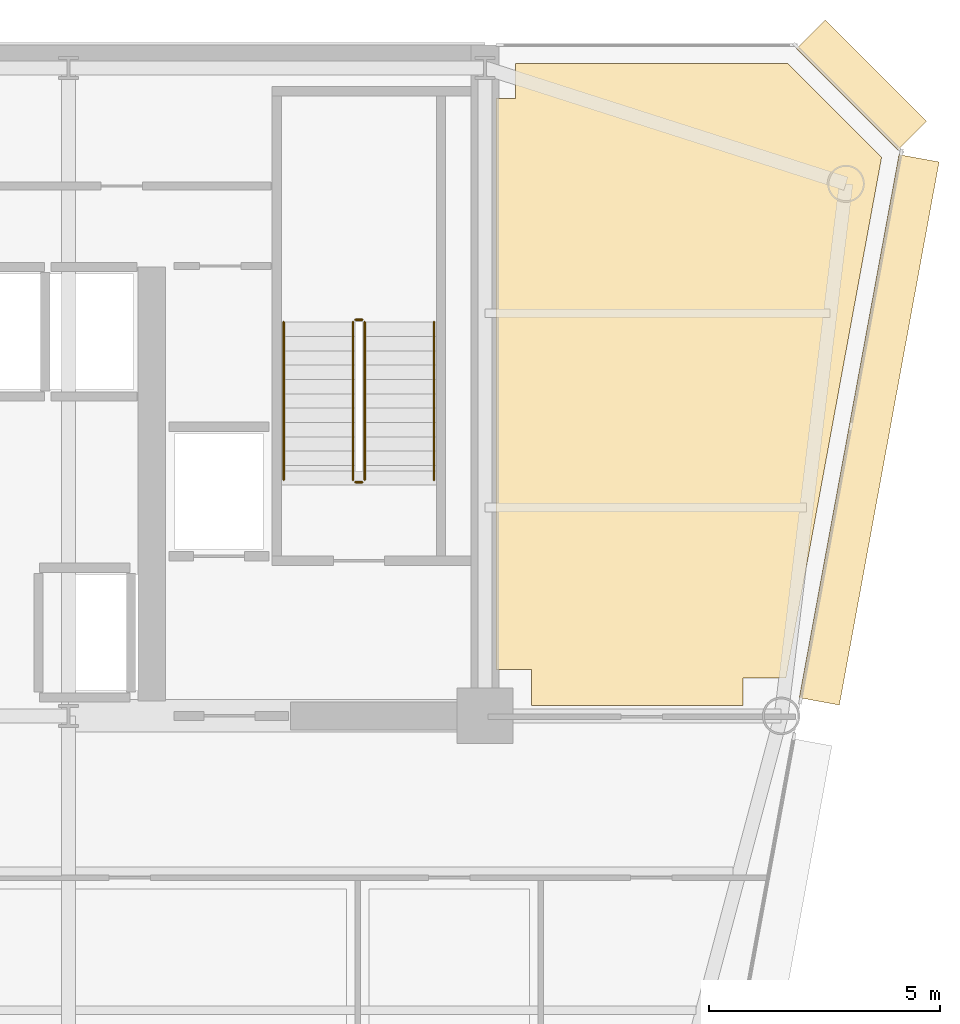
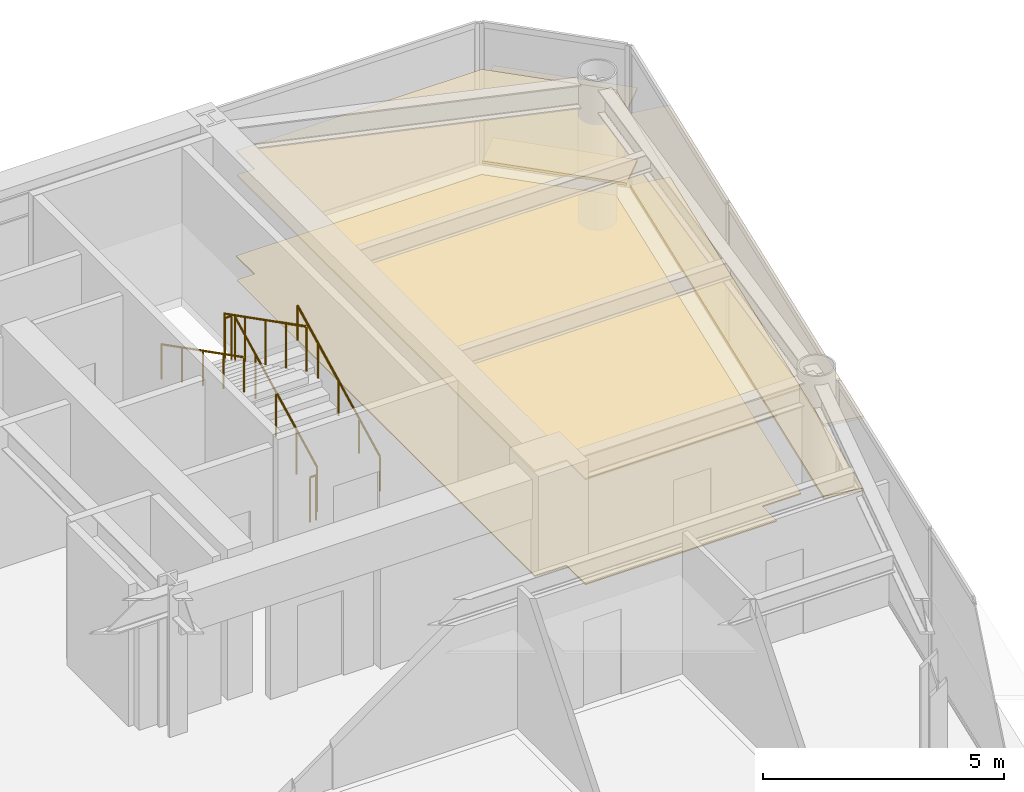
# One storey, part 16 of 16: 6 coverings, 6 railings.
"""IFC4 building model written with IfcOpenShell, lengths in metres."""

import ifcopenshell
import ifcopenshell.guid

model = None  # the IFC model being written
_history = None  # IfcOwnerHistory: only IFC2X3 demands one
_inside = {}  # id of a spatial element -> (the spatial element, [elements in it])
_under = {}  # id of a project, library or spatial element -> (it, [spatial elements below it])
_declared = {}  # id of a project -> (the project, [libraries it declares])
_typed = {}  # id of a type object -> (the type object, [elements of that type])
_made_of = {}  # id of a material, layer set ... -> (it, [elements and type objects made of it])


def new_model(schema):
    """Start an empty IFC model of exactly this schema.

    Asked for "IFC4X3", IfcOpenShell would pick the latest addendum, in which some entities
    have other attributes; the version numbers below select the first issue.
    IFC2X3 requires an IfcOwnerHistory on every rooted entity: one is made here for all.
    """
    global model, _history
    if schema == "IFC4X3":
        model = ifcopenshell.file(schema_version=(4, 3, 0, 0))
    else:
        model = ifcopenshell.file(schema=schema)
    _inside.clear()
    _under.clear()
    _declared.clear()
    _typed.clear()
    _made_of.clear()
    _history = None
    if model.schema == "IFC2X3":
        org = make("IfcOrganization", Name="unknown")
        user = make(
            "IfcPersonAndOrganization",
            ThePerson=make("IfcPerson", FamilyName="unknown"),
            TheOrganization=org,
        )
        app = make(
            "IfcApplication",
            ApplicationDeveloper=org,
            Version="unknown",
            ApplicationFullName="unknown",
            ApplicationIdentifier="unknown",
        )
        _history = make(
            "IfcOwnerHistory",
            OwningUser=user,
            OwningApplication=app,
            ChangeAction="ADDED",
            CreationDate=0,
        )
    return model


def make(cls, **values):
    """One entity of the class cls with the attributes given. An attribute that is None is left unset."""
    return model.create_entity(
        cls, **{name: value for name, value in values.items() if value is not None}
    )


def rooted(cls, **values):
    """An entity with a GlobalId (a new one), such as an element, a storey or a relation."""
    return make(cls, GlobalId=ifcopenshell.guid.new(), OwnerHistory=_history, **values)


def si_unit(unit_type, name, prefix=None):
    """IfcSIUnit, for example si_unit("LENGTHUNIT", "METRE", prefix="MILLI")."""
    return make("IfcSIUnit", UnitType=unit_type, Prefix=prefix, Name=name)


def assignment(units):
    """IfcUnitAssignment: the units of a project."""
    return None if units is None else make("IfcUnitAssignment", Units=units)


def point(xyz):
    """IfcCartesianPoint."""
    return None if xyz is None else make("IfcCartesianPoint", Coordinates=xyz)


def direction(xyz):
    """IfcDirection."""
    return None if xyz is None else make("IfcDirection", DirectionRatios=xyz)


def frame(location, z_axis=None, x_axis=None):
    """IfcAxis2Placement3D, a coordinate frame: its origin and axes. An axis left out is left unset."""
    return make(
        "IfcAxis2Placement3D",
        Location=point(location),
        Axis=direction(z_axis),
        RefDirection=direction(x_axis),
    )


def frame_2d(location, x_axis=None):
    """IfcAxis2Placement2D, a coordinate frame in the plane: its origin and x axis."""
    return make(
        "IfcAxis2Placement2D", Location=point(location), RefDirection=direction(x_axis)
    )


def origin():
    """The frame at (0, 0, 0) with its axes left unset."""
    return frame((0.0, 0.0, 0.0))


def origin_2d():
    """The frame at (0, 0) in the plane with its x axis left unset."""
    return frame_2d((0.0, 0.0))


def place(relative_to, where):
    """IfcLocalPlacement: puts the frame where relative to a parent placement (None: the world)."""
    return make(
        "IfcLocalPlacement", PlacementRelTo=relative_to, RelativePlacement=where
    )


def context(
    kind, dimensions, precision=None, world=None, true_north=None, identifier=None
):
    """IfcGeometricRepresentationContext, for example the 3D "Model" context."""
    return make(
        "IfcGeometricRepresentationContext",
        ContextIdentifier=identifier,
        ContextType=kind,
        CoordinateSpaceDimension=dimensions,
        Precision=precision,
        WorldCoordinateSystem=world,
        TrueNorth=true_north,
    )


def subcontext(parent, identifier, kind, view, scale=None):
    """IfcGeometricRepresentationSubContext, for example "Body" below "Model"."""
    return make(
        "IfcGeometricRepresentationSubContext",
        ContextIdentifier=identifier,
        ContextType=kind,
        ParentContext=parent,
        TargetScale=scale,
        TargetView=view,
    )


def project(units=None, contexts=None):
    """IfcProject with its units and contexts."""
    return rooted(
        "IfcProject",
        Name="project",
        RepresentationContexts=contexts,
        UnitsInContext=assignment(units),
    )


def spatial(cls, under=None, at=None, **own):
    """A site, building, storey or space (cls), placed at a placement, below another one or the project."""
    s = rooted(cls, ObjectPlacement=at, **own)
    if under is not None:
        _under.setdefault(under.id(), (under, []))[1].append(s)
    return s


def polyline(points):
    """IfcPolyline through the points."""
    return make("IfcPolyline", Points=[point(p) for p in points])


def profile(cls, at=None, kind="AREA", **sizes):
    """A parametric profile (cls). Its sizes go by their IFC names, for example OverallWidth=200.0."""
    return make(cls, ProfileType=kind, Position=at, **sizes)


def rectangle(**sizes):
    """IfcRectangleProfileDef."""
    return profile("IfcRectangleProfileDef", **sizes)


def circle(**sizes):
    """IfcCircleProfileDef."""
    return profile("IfcCircleProfileDef", **sizes)


def outline(outer, holes=None, kind="AREA"):
    """IfcArbitraryClosedProfileDef: a profile drawn as a closed curve; with holes, ...WithVoids."""
    if holes is None:
        return make("IfcArbitraryClosedProfileDef", ProfileType=kind, OuterCurve=outer)
    return make(
        "IfcArbitraryProfileDefWithVoids",
        ProfileType=kind,
        OuterCurve=outer,
        InnerCurves=holes,
    )


def extrude(swept, where, along, depth):
    """IfcExtrudedAreaSolid: the profile swept, set in the frame where, extruded along a direction by depth."""
    return make(
        "IfcExtrudedAreaSolid",
        SweptArea=swept,
        Position=where,
        ExtrudedDirection=direction(along),
        Depth=depth,
    )


def shape(context_of_items, identifier, shape_type, items):
    """IfcShapeRepresentation: the items that make up one representation, for example the "Body"."""
    return make(
        "IfcShapeRepresentation",
        ContextOfItems=context_of_items,
        RepresentationIdentifier=identifier,
        RepresentationType=shape_type,
        Items=items,
    )


def source(mapping_origin, context_of_items, identifier, shape_type, items):
    """IfcRepresentationMap: a shape defined once, which mapped items show again and again."""
    return make(
        "IfcRepresentationMap",
        MappingOrigin=mapping_origin,
        MappedRepresentation=shape(context_of_items, identifier, shape_type, items),
    )


def transform(
    local_origin,
    x_axis=None,
    y_axis=None,
    z_axis=None,
    scale=None,
    scale2=None,
    scale3=None,
    uniform=True,
):
    """IfcCartesianTransformationOperator3D, or its non-uniform kind. x_axis, y_axis, z_axis: its Axis1, 2, 3."""
    if uniform:
        return make(
            "IfcCartesianTransformationOperator3D",
            Axis1=direction(x_axis),
            Axis2=direction(y_axis),
            LocalOrigin=point(local_origin),
            Scale=scale,
            Axis3=direction(z_axis),
        )
    return make(
        "IfcCartesianTransformationOperator3DnonUniform",
        Axis1=direction(x_axis),
        Axis2=direction(y_axis),
        LocalOrigin=point(local_origin),
        Scale=scale,
        Axis3=direction(z_axis),
        Scale2=scale2,
        Scale3=scale3,
    )


def mapped(mapping_source, mapping_target):
    """IfcMappedItem: shows the shape of a source again, moved by a transform."""
    return make(
        "IfcMappedItem", MappingSource=mapping_source, MappingTarget=mapping_target
    )


def material(Name=None, Category=None):
    """IfcMaterial."""
    return make("IfcMaterial", Name=Name, Category=Category)


def layer(
    of_material, thickness, ventilated=None, Name=None, Category=None, Priority=None
):
    """IfcMaterialLayer: one layer of a wall or slab, of a material (None: an air gap)."""
    return make(
        "IfcMaterialLayer",
        Material=of_material,
        LayerThickness=thickness,
        IsVentilated=ventilated,
        Name=Name,
        Category=Category,
        Priority=Priority,
    )


def layer_set(layers, Name=None):
    """IfcMaterialLayerSet."""
    return make("IfcMaterialLayerSet", MaterialLayers=layers, LayerSetName=Name)


def made_of(thing, what):
    """Note that an element or type object is made of a material, layer set ...; save() writes the relation."""
    if what is not None:
        _made_of.setdefault(what.id(), (what, []))[1].append(thing)
    return thing


def type_object(cls, material=None, **own):
    """A type object (cls), such as IfcWallType, which elements share."""
    return made_of(rooted(cls, **own), material)


def element(
    cls,
    number,
    at=None,
    inside=None,
    cuts=None,
    type_object=None,
    material=None,
    context=None,
    identifier="Body",
    shape_type=None,
    held_by="IfcProductDefinitionShape",
    body=None,
    shapes=None,
    **own,
):
    """One element of the class cls, such as IfcWall. Its Tag is "e" and its number.

    at: its placement. inside: the storey or other place that contains it. cuts: it is an
    opening in that element (IfcRelVoidsElement). A single representation is given by context,
    identifier, shape_type and body (its items); several are given by shapes. held_by: the class
    of the entity that holds the representations. save() writes the other relations.
    """
    e = rooted(cls, Tag="e%d" % number, ObjectPlacement=at, **own)
    if body is not None:
        shapes = [shape(context, identifier, shape_type, body)]
    if shapes is not None:
        e.Representation = make(held_by, Representations=shapes)
    if inside is not None:
        _inside.setdefault(inside.id(), (inside, []))[1].append(e)
    if cuts is not None:
        rooted(
            "IfcRelVoidsElement", RelatingBuildingElement=cuts, RelatedOpeningElement=e
        )
    if type_object is not None:
        _typed.setdefault(type_object.id(), (type_object, []))[1].append(e)
    return made_of(e, material)


def aggregate(whole, parts):
    """IfcRelAggregates: a whole, such as a stair, and the parts it consists of."""
    return rooted("IfcRelAggregates", RelatingObject=whole, RelatedObjects=parts)


def save(model, path):
    """Write the relations noted so far, then the file.

    IfcRelAggregates (storeys below a building ...), IfcRelContainedInSpatialStructure (elements
    in a storey), IfcRelDefinesByType, IfcRelAssociatesMaterial and IfcRelDeclares: one each for
    every whole, place, type object, material and project.
    """
    for whole, parts in _under.values():
        aggregate(whole, parts)
    for where, things in _inside.values():
        rooted(
            "IfcRelContainedInSpatialStructure",
            RelatedElements=things,
            RelatingStructure=where,
        )
    for kind, things in _typed.values():
        rooted("IfcRelDefinesByType", RelatedObjects=things, RelatingType=kind)
    for what, things in _made_of.values():
        rooted("IfcRelAssociatesMaterial", RelatedObjects=things, RelatingMaterial=what)
    for by, libraries in _declared.values():
        rooted("IfcRelDeclares", RelatingContext=by, RelatedDefinitions=libraries)
    model.write(path)


model = new_model("IFC4")

# Units and contexts
model_context = context("Model", 3, precision=1e-05, world=origin(), true_north=direction((0.0, 1.0)))
body_context = subcontext(model_context, "Body", "Model", "MODEL_VIEW")
ifc_project = project(units=[si_unit("LENGTHUNIT", "METRE"), si_unit("AREAUNIT", "SQUARE_METRE"), si_unit("VOLUMEUNIT", "CUBIC_METRE"), si_unit("PLANEANGLEUNIT", "RADIAN"), si_unit("MASSUNIT", "GRAM", prefix="KILO")], contexts=[model_context])

# Site, building, storey
site_placement = place(None, origin())
site = spatial("IfcSite", under=ifc_project, at=site_placement, CompositionType="ELEMENT")
building_placement = place(site_placement, origin())
building = spatial("IfcBuilding", under=site, at=building_placement, Name="Vaeldorn Concourse Tower", CompositionType="ELEMENT")
storey_placement = place(building_placement, frame((0.0, 0.0, 184.199951171875)))
storey = spatial("IfcBuildingStorey", under=building, at=storey_placement, Name="L47", CompositionType="ELEMENT", Elevation=184.199951171875)

# Coverings
ifc_material_1 = material(Name="Acoustic Mineral Fibre Board", Category="gypsum")
ifc_layer_1 = layer(ifc_material_1, 0.0400390625)
ifc_layer_set_1 = layer_set([ifc_layer_1], Name="Acoustic Mineral Fibre Board")
covering_type_1 = type_object("IfcCoveringType", Name="COV-CEIL-ACOUSTIC", PredefinedType="CEILING", material=ifc_layer_set_1)
covering_1_placement = place(storey_placement, frame((0.0, 0.0, 2.650146484375)))
element("IfcCovering", 1, at=covering_1_placement, inside=storey, type_object=covering_type_1, Name="Suspended Acoustic Ceiling L47-4", PredefinedType="CEILING", context=body_context, shape_type="SweptSolid", body=[
    extrude(outline(polyline([(54.659912109375, 49.840087890625), (54.659912109375, 50.60009765625), (60.5341796875, 50.60009765625), (62.568603515625, 48.565673828125), (60.50390625, 37.320068359375), (59.580078125, 37.320068359375), (59.580078125, 36.719970703125), (55.0, 36.719970703125), (55.0, 37.5), (54.239990234375, 37.5), (54.239990234375, 49.840087890625), (54.659912109375, 49.840087890625)])), origin(), (0.0, 0.0, 1.0), 0.039794921875),
])
ifc_material_2 = material(Name="Honed Limestone Terrazzo Flooring", Category="masonry")
ifc_layer_2 = layer(ifc_material_2, 0.0400390625)
ifc_layer_set_2 = layer_set([ifc_layer_2], Name="Honed Limestone Terrazzo Flooring")
covering_type_2 = type_object("IfcCoveringType", Name="COV-FLOOR-STONE", PredefinedType="FLOORING", material=ifc_layer_set_2)
covering_2_placement = place(storey_placement, origin())
element("IfcCovering", 2, at=covering_2_placement, inside=storey, type_object=covering_type_2, Name="Floor Finish Covering L47-4", PredefinedType="FLOORING", context=body_context, shape_type="SweptSolid", body=[
    extrude(outline(polyline([(54.659912109375, 49.840087890625), (54.659912109375, 50.60009765625), (60.5341796875, 50.60009765625), (62.568603515625, 48.565673828125), (60.50390625, 37.320068359375), (59.580078125, 37.320068359375), (59.580078125, 36.719970703125), (55.0, 36.719970703125), (55.0, 37.5), (54.239990234375, 37.5), (54.239990234375, 49.840087890625), (54.659912109375, 49.840087890625)])), origin(), (0.0, 0.0, 1.0), 0.030029296875),
])

# Railings
ifc_material_3 = material(Name="Anodised Bronze Aluminium", Category="aluminium")
railing_type_1 = type_object("IfcRailingType", Name="RL-STAIR-GUARD", PredefinedType="GUARDRAIL", material=ifc_material_3)
railing_1_placement = place(storey_placement, frame((51.39990234375, 41.60009765625, 0.158447265625)))
element("IfcRailing", 3, at=railing_1_placement, inside=storey, type_object=railing_type_1, Name="L47 ST-2 stair guard 1", PredefinedType="GUARDRAIL", context=body_context, shape_type="SweptSolid", body=[
    extrude(circle(Radius=0.02392578125, at=origin_2d()), frame((0.0, 0.0, 1.1259765625), z_axis=(0.0, 0.890555807335, 0.454873997962), x_axis=(-1.0, 0.0, 0.0)), (0.0, 0.0, 1.0), 3.828857421875),
    extrude(circle(Radius=0.02099609375, at=origin_2d()), origin(), (0.0, 0.0, 1.0), 1.101806640625),
    extrude(circle(Radius=0.02099609375, at=origin_2d()), frame((0.0, 0.8525390625, 0.435546875)), (0.0, 0.0, 1.0), 1.101806640625),
    extrude(circle(Radius=0.02099609375, at=origin_2d()), frame((0.0, 1.705078125, 0.870849609375)), (0.0, 0.0, 1.0), 1.101806640625),
    extrude(circle(Radius=0.02099609375, at=origin_2d()), frame((0.0, 2.557373046875, 1.30615234375)), (0.0, 0.0, 1.0), 1.101806640625),
    extrude(circle(Radius=0.02099609375, at=origin_2d()), frame((0.0, 3.409912109375, 1.74169921875)), (0.0, 0.0, 1.0), 1.101806640625),
])
railing_2_placement = place(storey_placement, frame((51.35009765625, 45.06005859375, 1.900146484375)))
element("IfcRailing", 4, at=railing_2_placement, inside=storey, type_object=railing_type_1, Name="L47 ST-2 stair guard 2", PredefinedType="GUARDRAIL", context=body_context, shape_type="SweptSolid", body=[
    extrude(circle(Radius=0.02392578125, at=origin_2d()), frame((0.0, 0.0, 1.1259765625), z_axis=(-1.0, 0.0, 0.0), x_axis=(0.0, -1.0, 0.0)), (0.0, 0.0, 1.0), 0.150146484375),
    extrude(circle(Radius=0.02099609375, at=origin_2d()), origin(), (0.0, 0.0, 1.0), 1.101806640625),
    extrude(circle(Radius=0.02099609375, at=origin_2d()), frame((-0.150146484375, 0.0, 0.0)), (0.0, 0.0, 1.0), 1.101806640625),
])
railing_3_placement = place(storey_placement, frame((51.14990234375, 45.010009765625, 2.058349609375)))
element("IfcRailing", 5, at=railing_3_placement, inside=storey, type_object=railing_type_1, Name="L47 ST-2 stair guard 3", PredefinedType="GUARDRAIL", context=body_context, shape_type="SweptSolid", body=[
    extrude(circle(Radius=0.02392578125, at=origin_2d()), frame((0.0, 0.0, 1.1259765625), z_axis=(0.0, -0.890555807335, 0.454873997962), x_axis=(1.0, 0.0, 0.0)), (0.0, 0.0, 1.0), 3.828857421875),
    extrude(circle(Radius=0.02099609375, at=origin_2d()), origin(), (0.0, 0.0, 1.0), 1.101806640625),
    extrude(circle(Radius=0.02099609375, at=origin_2d()), frame((0.0, -0.8525390625, 0.435546875)), (0.0, 0.0, 1.0), 1.101806640625),
    extrude(circle(Radius=0.02099609375, at=origin_2d()), frame((0.0, -1.705078125, 0.870849609375)), (0.0, 0.0, 1.0), 1.101806640625),
    extrude(circle(Radius=0.02099609375, at=origin_2d()), frame((0.0, -2.557373046875, 1.30615234375)), (0.0, 0.0, 1.0), 1.101806640625),
    extrude(circle(Radius=0.02099609375, at=origin_2d()), frame((0.0, -3.409912109375, 1.74169921875)), (0.0, 0.0, 1.0), 1.101806640625),
])
railing_4_placement = place(storey_placement, frame((51.35009765625, 41.550048828125, 0.0)))
element("IfcRailing", 6, at=railing_4_placement, inside=storey, type_object=railing_type_1, Name="L47 ST-2 stair guard 4", PredefinedType="GUARDRAIL", context=body_context, shape_type="SweptSolid", body=[
    extrude(circle(Radius=0.02392578125, at=origin_2d()), frame((0.0, 0.0, 1.1259765625), z_axis=(-1.0, 0.0, 0.0), x_axis=(0.0, -1.0, 0.0)), (0.0, 0.0, 1.0), 0.150146484375),
    extrude(circle(Radius=0.02099609375, at=origin_2d()), origin(), (0.0, 0.0, 1.0), 1.101806640625),
    extrude(circle(Radius=0.02099609375, at=origin_2d()), frame((-0.150146484375, 0.0, 0.0)), (0.0, 0.0, 1.0), 1.101806640625),
])
railing_type_2 = type_object("IfcRailingType", Name="RL-STAIR-HANDRAIL", PredefinedType="HANDRAIL", material=ifc_material_3)
railing_5_placement = place(storey_placement, frame((52.89990234375, 41.60009765625, 0.158447265625)))
element("IfcRailing", 7, at=railing_5_placement, inside=storey, type_object=railing_type_2, Name="L47 ST-2 stair handrail 1", PredefinedType="HANDRAIL", context=body_context, shape_type="SweptSolid", body=[
    extrude(circle(Radius=0.02392578125, at=origin_2d()), frame((0.0, 0.0, 0.8759765625), z_axis=(0.0, 0.890555807335, 0.454873997962), x_axis=(-1.0, 0.0, 0.0)), (0.0, 0.0, 1.0), 3.828857421875),
    extrude(circle(Radius=0.02099609375, at=origin_2d()), origin(), (0.0, 0.0, 1.0), 0.851806640625),
    extrude(circle(Radius=0.02099609375, at=origin_2d()), frame((0.0, 0.8525390625, 0.435546875)), (0.0, 0.0, 1.0), 0.851806640625),
    extrude(circle(Radius=0.02099609375, at=origin_2d()), frame((0.0, 1.705078125, 0.870849609375)), (0.0, 0.0, 1.0), 0.851806640625),
    extrude(circle(Radius=0.02099609375, at=origin_2d()), frame((0.0, 2.557373046875, 1.30615234375)), (0.0, 0.0, 1.0), 0.851806640625),
    extrude(circle(Radius=0.02099609375, at=origin_2d()), frame((0.0, 3.409912109375, 1.74169921875)), (0.0, 0.0, 1.0), 0.851806640625),
])
railing_6_placement = place(storey_placement, frame((49.64990234375, 45.010009765625, 2.058349609375)))
element("IfcRailing", 8, at=railing_6_placement, inside=storey, type_object=railing_type_2, Name="L47 ST-2 stair handrail 2", PredefinedType="HANDRAIL", context=body_context, shape_type="SweptSolid", body=[
    extrude(circle(Radius=0.02392578125, at=origin_2d()), frame((0.0, 0.0, 0.8759765625), z_axis=(0.0, -0.890555807335, 0.454873997962), x_axis=(1.0, 0.0, 0.0)), (0.0, 0.0, 1.0), 3.828857421875),
    extrude(circle(Radius=0.02099609375, at=origin_2d()), origin(), (0.0, 0.0, 1.0), 0.851806640625),
    extrude(circle(Radius=0.02099609375, at=origin_2d()), frame((0.0, -0.8525390625, 0.435546875)), (0.0, 0.0, 1.0), 0.851806640625),
    extrude(circle(Radius=0.02099609375, at=origin_2d()), frame((0.0, -1.705078125, 0.870849609375)), (0.0, 0.0, 1.0), 0.851806640625),
    extrude(circle(Radius=0.02099609375, at=origin_2d()), frame((0.0, -2.557373046875, 1.30615234375)), (0.0, 0.0, 1.0), 0.851806640625),
    extrude(circle(Radius=0.02099609375, at=origin_2d()), frame((0.0, -3.409912109375, 1.74169921875)), (0.0, 0.0, 1.0), 0.851806640625),
])

# Coverings
ifc_layer_3 = layer(ifc_material_3, 0.06494140625)
ifc_layer_set_3 = layer_set([ifc_layer_3], Name="Anodised Bronze Aluminium")
covering_type_3 = type_object("IfcCoveringType", Name="SD-BRONZE-SUNSHADE", PredefinedType="USERDEFINED", material=ifc_layer_set_3)
shared_shape_1 = source(origin(), body_context, "Body", "SweptSolid", [
    extrude(rectangle(XDim=3.0927734375, YDim=0.8798828125, at=origin_2d()), origin(), (0.0, 0.0, 1.0), 0.06494140625),
])
for number, where, z_axis, x_axis, name in (
    (9, (62.1328125, 50.1328125, 0.047607421875), (0.0, 0.0, 1.0), (-0.707106781187, 0.707106781187, 0.0), "Horizontal Bronze Sunshade L47-E08.1.1"),
    (10, (62.1328125, 50.1328125, 1.86767578125), (0.0, 0.0, 1.0), (-0.707106781187, 0.707106781187, 0.0), "Horizontal Bronze Sunshade L47-E08.1.2"),
):
    element("IfcCovering", number, at=place(storey_placement, frame(where, z_axis=z_axis, x_axis=x_axis)), inside=storey, type_object=covering_type_3, Name=name, ObjectType="SUNSHADE", PredefinedType="USERDEFINED", context=body_context, shape_type="MappedRepresentation", body=[
        mapped(shared_shape_1, transform((0.0, 0.0, 0.0), scale=1.0)),
    ])
shared_shape_2 = source(origin(), body_context, "Body", "SweptSolid", [
    extrude(rectangle(XDim=11.931396484375, YDim=0.8798828125, at=origin_2d()), origin(), (0.0, 0.0, 1.0), 0.06494140625),
])
for number, where, z_axis, x_axis, name in (
    (11, (62.3017578125, 42.681396484375, 0.047607421875), (0.0, 0.0, 1.0), (0.180587811053, 0.983558865803, 0.0), "Horizontal Bronze Sunshade L47-E07.2.1"),
    (12, (62.3017578125, 42.681396484375, 1.86767578125), (0.0, 0.0, 1.0), (0.180587811053, 0.983558865803, 0.0), "Horizontal Bronze Sunshade L47-E07.2.2"),
):
    element("IfcCovering", number, at=place(storey_placement, frame(where, z_axis=z_axis, x_axis=x_axis)), inside=storey, type_object=covering_type_3, Name=name, ObjectType="SUNSHADE", PredefinedType="USERDEFINED", context=body_context, shape_type="MappedRepresentation", body=[
        mapped(shared_shape_2, transform((0.0, 0.0, 0.0), scale=1.0)),
    ])

save(model, "model.ifc")
